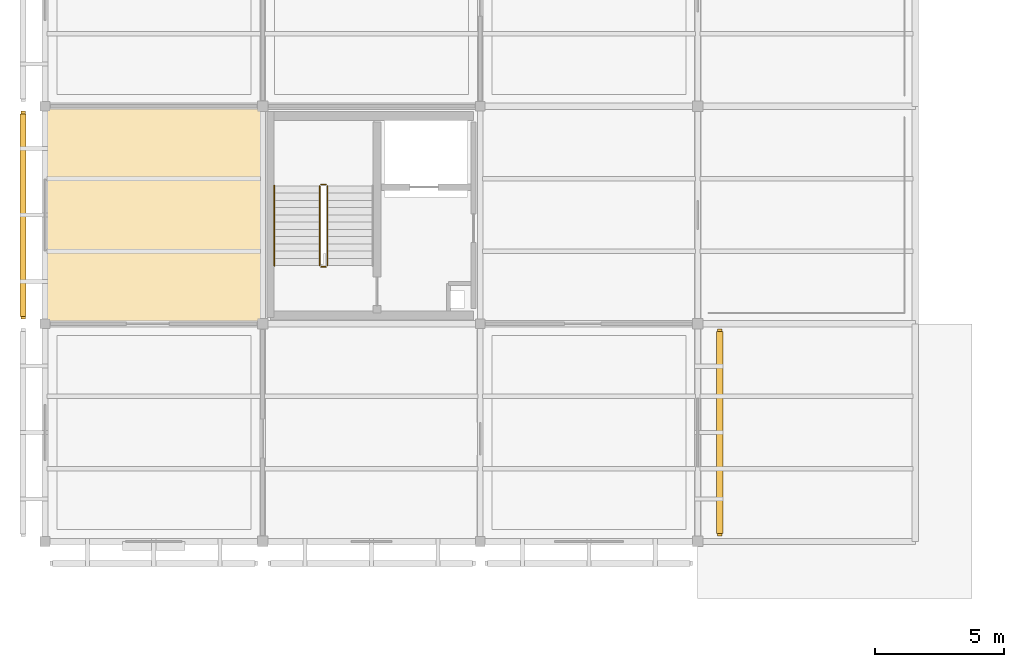
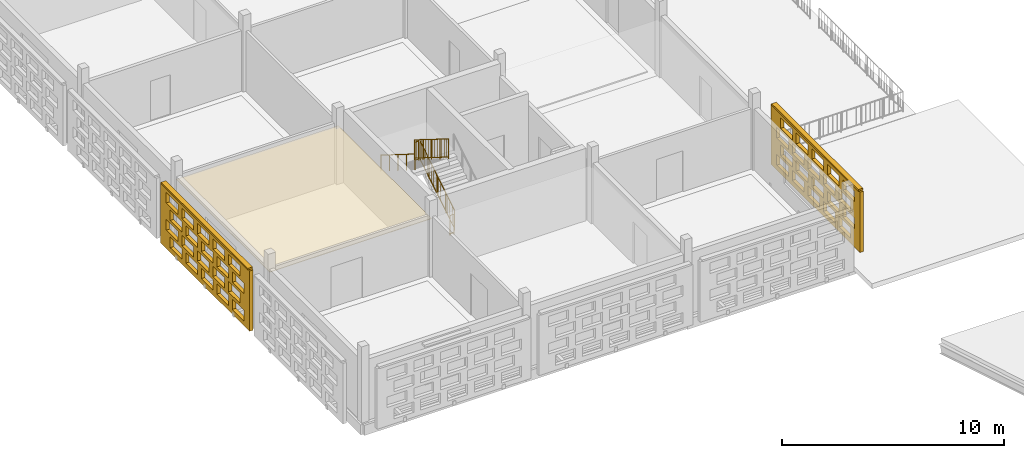
# One storey, part 24 of 31: 5 railings, 3 coverings, 2 shading devices, 40 openings.
"""IFC4 building model written with IfcOpenShell, lengths in metres."""

from ifc_helpers import new_model, si_unit, direction, frame, frame_2d, origin, origin_2d, place, context, subcontext, project, spatial, rectangle, circle, extrude, material, layer, layer_set, type_object, element, save


model = new_model("IFC4")

# Units and contexts
model_context = context("Model", 3, precision=1e-05, world=origin(), true_north=direction((0.0, 1.0)))
body_context = subcontext(model_context, "Body", "Model", "MODEL_VIEW")
ifc_project = project(units=[si_unit("LENGTHUNIT", "METRE"), si_unit("AREAUNIT", "SQUARE_METRE"), si_unit("VOLUMEUNIT", "CUBIC_METRE"), si_unit("PLANEANGLEUNIT", "RADIAN"), si_unit("MASSUNIT", "GRAM", prefix="KILO")], contexts=[model_context])

# Site, building, storey
site_placement = place(None, origin())
site = spatial("IfcSite", under=ifc_project, at=site_placement, CompositionType="ELEMENT")
building_placement = place(site_placement, origin())
building = spatial("IfcBuilding", under=site, at=building_placement, Name="Varnapada Polytechnic", CompositionType="ELEMENT")
storey_placement = place(building_placement, frame((0.0, 0.0, 22.199951171875)))
storey = spatial("IfcBuildingStorey", under=building, at=storey_placement, Name="L05", CompositionType="ELEMENT", Elevation=22.199951171875)

# Railings
ifc_material_1 = material(Name="Brushed Stainless Steel 316", Category="steel")
railing_type_1 = type_object("IfcRailingType", Name="Stair Wall Handrail SHR-01", PredefinedType="HANDRAIL", material=ifc_material_1)
railing_1_placement = place(storey_placement, frame((8.85009765625, 64.1298828125, 2.275146484375)))
element("IfcRailing", 1, at=railing_1_placement, inside=storey, type_object=railing_type_1, Name="L05 ST-2 stair handrail 2", PredefinedType="HANDRAIL", context=body_context, shape_type="SweptSolid", body=[
    extrude(circle(Radius=0.02392578125, at=origin_2d()), frame((0.0, 0.0, 0.8759765625), z_axis=(0.0, -0.848009633417, 0.529980812513), x_axis=(1.0, 0.0, 0.0)), (0.0, 0.0, 1.0), 3.6318359375),
    extrude(circle(Radius=0.02099609375, at=origin_2d()), origin(), (0.0, 0.0, 1.0), 0.851806640625),
    extrude(circle(Radius=0.02099609375, at=origin_2d()), frame((0.0, -0.77001953125, 0.481201171875)), (0.0, 0.0, 1.0), 0.851806640625),
    extrude(circle(Radius=0.02099609375, at=origin_2d()), frame((0.0, -1.5400390625, 0.96240234375)), (0.0, 0.0, 1.0), 0.851806640625),
    extrude(circle(Radius=0.02099609375, at=origin_2d()), frame((0.0, -2.309814453125, 1.443603515625)), (0.0, 0.0, 1.0), 0.851806640625),
    extrude(circle(Radius=0.02099609375, at=origin_2d()), frame((0.0, -3.079833984375, 1.9248046875)), (0.0, 0.0, 1.0), 0.851806640625),
])
railing_type_2 = type_object("IfcRailingType", Name="Stair Well Guard Rail SGR-01", PredefinedType="BALUSTRADE", material=ifc_material_1)
railing_2_placement = place(storey_placement, frame((10.89990234375, 61.050048828125, 0.175048828125)))
element("IfcRailing", 2, at=railing_2_placement, inside=storey, type_object=railing_type_2, Name="L05 ST-2 stair guard 1", PredefinedType="BALUSTRADE", context=body_context, shape_type="SweptSolid", body=[
    extrude(circle(Radius=0.02392578125, at=origin_2d()), frame((0.0, 0.0, 1.09619140625), z_axis=(0.0, 0.847979421464, 0.530029150871), x_axis=(-1.0, 0.0, 0.0)), (0.0, 0.0, 1.0), 3.632080078125),
    extrude(circle(Radius=0.02392578125, at=origin_2d()), frame((0.0, 0.0, 0.10009765625), z_axis=(0.0, 0.847979421464, 0.530029150871), x_axis=(-1.0, 0.0, 0.0)), (0.0, 0.0, 1.0), 3.632080078125),
    extrude(circle(Radius=0.02099609375, at=origin_2d()), origin(), (0.0, 0.0, 1.0), 1.072021484375),
    extrude(circle(Radius=0.02099609375, at=origin_2d()), frame((0.0, 0.77001953125, 0.481201171875)), (0.0, 0.0, 1.0), 1.072021484375),
    extrude(circle(Radius=0.02099609375, at=origin_2d()), frame((0.0, 1.5400390625, 0.96240234375)), (0.0, 0.0, 1.0), 1.072021484375),
    extrude(circle(Radius=0.02099609375, at=origin_2d()), frame((0.0, 2.309814453125, 1.44384765625)), (0.0, 0.0, 1.0), 1.072021484375),
    extrude(circle(Radius=0.02099609375, at=origin_2d()), frame((0.0, 3.079833984375, 1.925048828125)), (0.0, 0.0, 1.0), 1.072021484375),
    extrude(circle(Radius=0.010009765625, at=origin_2d()), frame((0.0, 0.205322265625, 0.228515625)), (0.0, 0.0, 1.0), 0.971923828125),
    extrude(circle(Radius=0.010009765625, at=origin_2d()), frame((0.0, 0.41064453125, 0.356689453125)), (0.0, 0.0, 1.0), 0.971923828125),
    extrude(circle(Radius=0.010009765625, at=origin_2d()), frame((0.0, 0.615966796875, 0.485107421875)), (0.0, 0.0, 1.0), 0.971923828125),
    extrude(circle(Radius=0.010009765625, at=origin_2d()), frame((0.0, 0.8212890625, 0.613525390625)), (0.0, 0.0, 1.0), 0.971923828125),
    extrude(circle(Radius=0.010009765625, at=origin_2d()), frame((0.0, 1.026611328125, 0.74169921875)), (0.0, 0.0, 1.0), 0.971923828125),
    extrude(circle(Radius=0.010009765625, at=origin_2d()), frame((0.0, 1.23193359375, 0.8701171875)), (0.0, 0.0, 1.0), 0.971923828125),
    extrude(circle(Radius=0.010009765625, at=origin_2d()), frame((0.0, 1.437255859375, 0.99853515625)), (0.0, 0.0, 1.0), 0.971923828125),
    extrude(circle(Radius=0.010009765625, at=origin_2d()), frame((0.0, 1.642578125, 1.126708984375)), (0.0, 0.0, 1.0), 0.971923828125),
    extrude(circle(Radius=0.010009765625, at=origin_2d()), frame((0.0, 1.847900390625, 1.255126953125)), (0.0, 0.0, 1.0), 0.971923828125),
    extrude(circle(Radius=0.010009765625, at=origin_2d()), frame((0.0, 2.05322265625, 1.383544921875)), (0.0, 0.0, 1.0), 0.971923828125),
    extrude(circle(Radius=0.010009765625, at=origin_2d()), frame((0.0, 2.258544921875, 1.51171875)), (0.0, 0.0, 1.0), 0.971923828125),
    extrude(circle(Radius=0.010009765625, at=origin_2d()), frame((0.0, 2.4638671875, 1.64013671875)), (0.0, 0.0, 1.0), 0.971923828125),
    extrude(circle(Radius=0.010009765625, at=origin_2d()), frame((0.0, 2.669189453125, 1.7685546875)), (0.0, 0.0, 1.0), 0.971923828125),
    extrude(circle(Radius=0.010009765625, at=origin_2d()), frame((0.0, 2.87451171875, 1.896728515625)), (0.0, 0.0, 1.0), 0.971923828125),
])
railing_3_placement = place(storey_placement, frame((10.85009765625, 64.179931640625, 2.10009765625)))
element("IfcRailing", 3, at=railing_3_placement, inside=storey, type_object=railing_type_2, Name="L05 ST-2 stair guard 2", PredefinedType="BALUSTRADE", context=body_context, shape_type="SweptSolid", body=[
    extrude(circle(Radius=0.02392578125, at=origin_2d()), frame((0.0, 0.0, 1.09619140625), z_axis=(-1.0, 0.0, 0.0), x_axis=(0.0, -1.0, 0.0)), (0.0, 0.0, 1.0), 0.2001953125),
    extrude(circle(Radius=0.02392578125, at=origin_2d()), frame((0.0, 0.0, 0.10009765625), z_axis=(-1.0, 0.0, 0.0), x_axis=(0.0, -1.0, 0.0)), (0.0, 0.0, 1.0), 0.2001953125),
    extrude(circle(Radius=0.02099609375, at=origin_2d()), origin(), (0.0, 0.0, 1.0), 1.072021484375),
    extrude(circle(Radius=0.02099609375, at=origin_2d()), frame((-0.2001953125, 0.0, 0.0)), (0.0, 0.0, 1.0), 1.072021484375),
])
railing_4_placement = place(storey_placement, frame((10.60009765625, 64.1298828125, 2.275146484375)))
element("IfcRailing", 4, at=railing_4_placement, inside=storey, type_object=railing_type_2, Name="L05 ST-2 stair guard 3", PredefinedType="BALUSTRADE", context=body_context, shape_type="SweptSolid", body=[
    extrude(circle(Radius=0.02392578125, at=origin_2d()), frame((0.0, 0.0, 1.09619140625), z_axis=(0.0, -0.848009633417, 0.529980812513), x_axis=(1.0, 0.0, 0.0)), (0.0, 0.0, 1.0), 3.6318359375),
    extrude(circle(Radius=0.02392578125, at=origin_2d()), frame((0.0, 0.0, 0.10009765625), z_axis=(0.0, -0.848009633417, 0.529980812513), x_axis=(1.0, 0.0, 0.0)), (0.0, 0.0, 1.0), 3.6318359375),
    extrude(circle(Radius=0.02099609375, at=origin_2d()), origin(), (0.0, 0.0, 1.0), 1.072021484375),
    extrude(circle(Radius=0.02099609375, at=origin_2d()), frame((0.0, -0.77001953125, 0.481201171875)), (0.0, 0.0, 1.0), 1.072021484375),
    extrude(circle(Radius=0.02099609375, at=origin_2d()), frame((0.0, -1.5400390625, 0.96240234375)), (0.0, 0.0, 1.0), 1.072021484375),
    extrude(circle(Radius=0.02099609375, at=origin_2d()), frame((0.0, -2.309814453125, 1.443603515625)), (0.0, 0.0, 1.0), 1.072021484375),
    extrude(circle(Radius=0.02099609375, at=origin_2d()), frame((0.0, -3.079833984375, 1.9248046875)), (0.0, 0.0, 1.0), 1.072021484375),
    extrude(circle(Radius=0.010009765625, at=origin_2d()), frame((0.0, -0.205322265625, 0.228515625)), (0.0, 0.0, 1.0), 0.971923828125),
    extrude(circle(Radius=0.010009765625, at=origin_2d()), frame((0.0, -0.41064453125, 0.356689453125)), (0.0, 0.0, 1.0), 0.971923828125),
    extrude(circle(Radius=0.010009765625, at=origin_2d()), frame((0.0, -0.615966796875, 0.485107421875)), (0.0, 0.0, 1.0), 0.971923828125),
    extrude(circle(Radius=0.010009765625, at=origin_2d()), frame((0.0, -0.8212890625, 0.61328125)), (0.0, 0.0, 1.0), 0.971923828125),
    extrude(circle(Radius=0.010009765625, at=origin_2d()), frame((0.0, -1.026611328125, 0.74169921875)), (0.0, 0.0, 1.0), 0.971923828125),
    extrude(circle(Radius=0.010009765625, at=origin_2d()), frame((0.0, -1.23193359375, 0.8701171875)), (0.0, 0.0, 1.0), 0.971923828125),
    extrude(circle(Radius=0.010009765625, at=origin_2d()), frame((0.0, -1.437255859375, 0.998291015625)), (0.0, 0.0, 1.0), 0.971923828125),
    extrude(circle(Radius=0.010009765625, at=origin_2d()), frame((0.0, -1.642578125, 1.126708984375)), (0.0, 0.0, 1.0), 0.971923828125),
    extrude(circle(Radius=0.010009765625, at=origin_2d()), frame((0.0, -1.847900390625, 1.2548828125)), (0.0, 0.0, 1.0), 0.971923828125),
    extrude(circle(Radius=0.010009765625, at=origin_2d()), frame((0.0, -2.05322265625, 1.38330078125)), (0.0, 0.0, 1.0), 0.971923828125),
    extrude(circle(Radius=0.010009765625, at=origin_2d()), frame((0.0, -2.258544921875, 1.51171875)), (0.0, 0.0, 1.0), 0.971923828125),
    extrude(circle(Radius=0.010009765625, at=origin_2d()), frame((0.0, -2.4638671875, 1.639892578125)), (0.0, 0.0, 1.0), 0.971923828125),
    extrude(circle(Radius=0.010009765625, at=origin_2d()), frame((0.0, -2.669189453125, 1.768310546875)), (0.0, 0.0, 1.0), 0.971923828125),
    extrude(circle(Radius=0.010009765625, at=origin_2d()), frame((0.0, -2.87451171875, 1.896484375)), (0.0, 0.0, 1.0), 0.971923828125),
])
railing_5_placement = place(storey_placement, frame((10.85009765625, 61.0, 0.0)))
element("IfcRailing", 5, at=railing_5_placement, inside=storey, type_object=railing_type_2, Name="L05 ST-2 stair guard 4", PredefinedType="BALUSTRADE", context=body_context, shape_type="SweptSolid", body=[
    extrude(circle(Radius=0.02392578125, at=origin_2d()), frame((0.0, 0.0, 1.09619140625), z_axis=(-1.0, 0.0, 0.0), x_axis=(0.0, -1.0, 0.0)), (0.0, 0.0, 1.0), 0.2001953125),
    extrude(circle(Radius=0.02392578125, at=origin_2d()), frame((0.0, 0.0, 0.10009765625), z_axis=(-1.0, 0.0, 0.0), x_axis=(0.0, -1.0, 0.0)), (0.0, 0.0, 1.0), 0.2001953125),
    extrude(circle(Radius=0.02099609375, at=origin_2d()), origin(), (0.0, 0.0, 1.0), 1.072021484375),
    extrude(circle(Radius=0.02099609375, at=origin_2d()), frame((-0.2001953125, 0.0, 0.0)), (0.0, 0.0, 1.0), 1.072021484375),
])

# Covering
ifc_material_2 = material(Name="Moisture-Resistant Aluminum Baffle Ceiling", Category="aluminium")
ifc_layer_1 = layer(ifc_material_2, 0.030029296875)
ifc_layer_set_1 = layer_set([ifc_layer_1], Name="Moisture-Resistant Aluminum Baffle Ceiling")
covering_type_1 = type_object("IfcCoveringType", Name="Suspended Ceiling CLG-03", PredefinedType="CEILING", material=ifc_layer_set_1)
covering_1_placement = place(storey_placement, frame((4.199951171875, 63.0, 3.03515625), z_axis=(0.0, 0.0, 1.0), x_axis=(1.0, 0.0, 0.0)))
element("IfcCovering", 6, at=covering_1_placement, inside=storey, type_object=covering_type_1, Name="L05 suspended acoustic ceiling (1,8)", PredefinedType="CEILING", context=body_context, shape_type="SweptSolid", body=[
    extrude(rectangle(XDim=8.419921875, YDim=8.419921875, at=origin_2d()), origin(), (0.0, 0.0, 1.0), 0.030029296875),
])

# Covering, openings
ifc_material_3 = material(Name="Earth-toned architectural terracotta screen block", Category="masonry")
ifc_layer_2 = layer(ifc_material_3, 0.1201171875)
ifc_layer_set_2 = layer_set([ifc_layer_2], Name="Earth-toned architectural terracotta screen block")
covering_type_2 = type_object("IfcCoveringType", Name="Terracotta Screen Cladding CLD-01", PredefinedType="CLADDING", material=ifc_layer_set_2)
covering_2_placement = place(storey_placement, frame((-0.85009765625, 58.989990234375, 0.0), z_axis=(0.0, 0.0, 1.0), x_axis=(0.0, 1.0, 0.0)))
covering_2 = element("IfcCovering", 7, at=covering_2_placement, inside=storey, type_object=covering_type_2, Name="L05 perforated terracotta block screen (3)", PredefinedType="CLADDING", context=body_context, shape_type="SweptSolid", body=[
    extrude(rectangle(XDim=8.02001953125, YDim=0.179931640625, at=frame_2d((4.010009765625, 0.0))), origin(), (0.0, 0.0, 1.0), 3.320068359375),
])
opening_1_placement = place(covering_2_placement, frame((0.510009765625, 0.0, 0.265625)))
element("IfcOpeningElement", 8, at=opening_1_placement, cuts=covering_2, Name="Screen perforation TBS-L05-002.1", PredefinedType="OPENING", context=body_context, shape_type="SweptSolid", body=[
    extrude(rectangle(XDim=1.0400390625, YDim=0.5810546875, at=frame_2d((0.52001953125, 0.29052734375))), frame((0.0, 0.099853515625, 0.0), z_axis=(0.0, -1.0, 0.0), x_axis=(1.0, 0.0, 0.0)), (0.0, 0.0, 1.0), 0.199951171875),
])
opening_2_placement = place(covering_2_placement, frame((1.909912109375, 0.0, 0.265625)))
element("IfcOpeningElement", 9, at=opening_2_placement, cuts=covering_2, Name="Screen perforation TBS-L05-002.2", PredefinedType="OPENING", context=body_context, shape_type="SweptSolid", body=[
    extrude(rectangle(XDim=1.0400390625, YDim=0.5810546875, at=frame_2d((0.52001953125, 0.29052734375))), frame((0.0, 0.099853515625, 0.0), z_axis=(0.0, -1.0, 0.0), x_axis=(1.0, 0.0, 0.0)), (0.0, 0.0, 1.0), 0.199951171875),
])
opening_3_placement = place(covering_2_placement, frame((3.31005859375, 0.0, 0.265625)))
element("IfcOpeningElement", 10, at=opening_3_placement, cuts=covering_2, Name="Screen perforation TBS-L05-002.3", PredefinedType="OPENING", context=body_context, shape_type="SweptSolid", body=[
    extrude(rectangle(XDim=1.0400390625, YDim=0.5810546875, at=frame_2d((0.52001953125, 0.29052734375))), frame((0.0, 0.099853515625, 0.0), z_axis=(0.0, -1.0, 0.0), x_axis=(1.0, 0.0, 0.0)), (0.0, 0.0, 1.0), 0.199951171875),
])
opening_4_placement = place(covering_2_placement, frame((4.7099609375, 0.0, 0.265625)))
element("IfcOpeningElement", 11, at=opening_4_placement, cuts=covering_2, Name="Screen perforation TBS-L05-002.4", PredefinedType="OPENING", context=body_context, shape_type="SweptSolid", body=[
    extrude(rectangle(XDim=1.0400390625, YDim=0.5810546875, at=frame_2d((0.52001953125, 0.29052734375))), frame((0.0, 0.099853515625, 0.0), z_axis=(0.0, -1.0, 0.0), x_axis=(1.0, 0.0, 0.0)), (0.0, 0.0, 1.0), 0.199951171875),
])
opening_5_placement = place(covering_2_placement, frame((6.110107421875, 0.0, 0.265625)))
element("IfcOpeningElement", 12, at=opening_5_placement, cuts=covering_2, Name="Screen perforation TBS-L05-002.5", PredefinedType="OPENING", context=body_context, shape_type="SweptSolid", body=[
    extrude(rectangle(XDim=1.0400390625, YDim=0.5810546875, at=frame_2d((0.52001953125, 0.29052734375))), frame((0.0, 0.099853515625, 0.0), z_axis=(0.0, -1.0, 0.0), x_axis=(1.0, 0.0, 0.0)), (0.0, 0.0, 1.0), 0.199951171875),
])
opening_6_placement = place(covering_2_placement, frame((0.8701171875, 0.0, 1.0126953125)))
element("IfcOpeningElement", 13, at=opening_6_placement, cuts=covering_2, Name="Screen perforation TBS-L05-002.6", PredefinedType="OPENING", context=body_context, shape_type="SweptSolid", body=[
    extrude(rectangle(XDim=1.0400390625, YDim=0.5810546875, at=frame_2d((0.52001953125, 0.29052734375))), frame((0.0, 0.099853515625, 0.0), z_axis=(0.0, -1.0, 0.0), x_axis=(1.0, 0.0, 0.0)), (0.0, 0.0, 1.0), 0.199951171875),
])
opening_7_placement = place(covering_2_placement, frame((2.27001953125, 0.0, 1.0126953125)))
element("IfcOpeningElement", 14, at=opening_7_placement, cuts=covering_2, Name="Screen perforation TBS-L05-002.7", PredefinedType="OPENING", context=body_context, shape_type="SweptSolid", body=[
    extrude(rectangle(XDim=1.0400390625, YDim=0.5810546875, at=frame_2d((0.52001953125, 0.29052734375))), frame((0.0, 0.099853515625, 0.0), z_axis=(0.0, -1.0, 0.0), x_axis=(1.0, 0.0, 0.0)), (0.0, 0.0, 1.0), 0.199951171875),
])
opening_8_placement = place(covering_2_placement, frame((3.669921875, 0.0, 1.0126953125)))
element("IfcOpeningElement", 15, at=opening_8_placement, cuts=covering_2, Name="Screen perforation TBS-L05-002.8", PredefinedType="OPENING", context=body_context, shape_type="SweptSolid", body=[
    extrude(rectangle(XDim=1.0400390625, YDim=0.5810546875, at=frame_2d((0.52001953125, 0.29052734375))), frame((0.0, 0.099853515625, 0.0), z_axis=(0.0, -1.0, 0.0), x_axis=(1.0, 0.0, 0.0)), (0.0, 0.0, 1.0), 0.199951171875),
])
opening_9_placement = place(covering_2_placement, frame((5.070068359375, 0.0, 1.0126953125)))
element("IfcOpeningElement", 16, at=opening_9_placement, cuts=covering_2, Name="Screen perforation TBS-L05-002.9", PredefinedType="OPENING", context=body_context, shape_type="SweptSolid", body=[
    extrude(rectangle(XDim=1.0400390625, YDim=0.5810546875, at=frame_2d((0.52001953125, 0.29052734375))), frame((0.0, 0.099853515625, 0.0), z_axis=(0.0, -1.0, 0.0), x_axis=(1.0, 0.0, 0.0)), (0.0, 0.0, 1.0), 0.199951171875),
])
opening_10_placement = place(covering_2_placement, frame((6.469970703125, 0.0, 1.0126953125)))
element("IfcOpeningElement", 17, at=opening_10_placement, cuts=covering_2, Name="Screen perforation TBS-L05-002.10", PredefinedType="OPENING", context=body_context, shape_type="SweptSolid", body=[
    extrude(rectangle(XDim=1.0400390625, YDim=0.5810546875, at=frame_2d((0.52001953125, 0.29052734375))), frame((0.0, 0.099853515625, 0.0), z_axis=(0.0, -1.0, 0.0), x_axis=(1.0, 0.0, 0.0)), (0.0, 0.0, 1.0), 0.199951171875),
])
opening_11_placement = place(covering_2_placement, frame((0.510009765625, 0.0, 1.759521484375)))
element("IfcOpeningElement", 18, at=opening_11_placement, cuts=covering_2, Name="Screen perforation TBS-L05-002.11", PredefinedType="OPENING", context=body_context, shape_type="SweptSolid", body=[
    extrude(rectangle(XDim=1.0400390625, YDim=0.5810546875, at=frame_2d((0.52001953125, 0.29052734375))), frame((0.0, 0.099853515625, 0.0), z_axis=(0.0, -1.0, 0.0), x_axis=(1.0, 0.0, 0.0)), (0.0, 0.0, 1.0), 0.199951171875),
])
opening_12_placement = place(covering_2_placement, frame((1.909912109375, 0.0, 1.759521484375)))
element("IfcOpeningElement", 19, at=opening_12_placement, cuts=covering_2, Name="Screen perforation TBS-L05-002.12", PredefinedType="OPENING", context=body_context, shape_type="SweptSolid", body=[
    extrude(rectangle(XDim=1.0400390625, YDim=0.5810546875, at=frame_2d((0.52001953125, 0.29052734375))), frame((0.0, 0.099853515625, 0.0), z_axis=(0.0, -1.0, 0.0), x_axis=(1.0, 0.0, 0.0)), (0.0, 0.0, 1.0), 0.199951171875),
])
opening_13_placement = place(covering_2_placement, frame((3.31005859375, 0.0, 1.759521484375)))
element("IfcOpeningElement", 20, at=opening_13_placement, cuts=covering_2, Name="Screen perforation TBS-L05-002.13", PredefinedType="OPENING", context=body_context, shape_type="SweptSolid", body=[
    extrude(rectangle(XDim=1.0400390625, YDim=0.5810546875, at=frame_2d((0.52001953125, 0.29052734375))), frame((0.0, 0.099853515625, 0.0), z_axis=(0.0, -1.0, 0.0), x_axis=(1.0, 0.0, 0.0)), (0.0, 0.0, 1.0), 0.199951171875),
])
opening_14_placement = place(covering_2_placement, frame((4.7099609375, 0.0, 1.759521484375)))
element("IfcOpeningElement", 21, at=opening_14_placement, cuts=covering_2, Name="Screen perforation TBS-L05-002.14", PredefinedType="OPENING", context=body_context, shape_type="SweptSolid", body=[
    extrude(rectangle(XDim=1.0400390625, YDim=0.5810546875, at=frame_2d((0.52001953125, 0.29052734375))), frame((0.0, 0.099853515625, 0.0), z_axis=(0.0, -1.0, 0.0), x_axis=(1.0, 0.0, 0.0)), (0.0, 0.0, 1.0), 0.199951171875),
])
opening_15_placement = place(covering_2_placement, frame((6.110107421875, 0.0, 1.759521484375)))
element("IfcOpeningElement", 22, at=opening_15_placement, cuts=covering_2, Name="Screen perforation TBS-L05-002.15", PredefinedType="OPENING", context=body_context, shape_type="SweptSolid", body=[
    extrude(rectangle(XDim=1.0400390625, YDim=0.5810546875, at=frame_2d((0.52001953125, 0.29052734375))), frame((0.0, 0.099853515625, 0.0), z_axis=(0.0, -1.0, 0.0), x_axis=(1.0, 0.0, 0.0)), (0.0, 0.0, 1.0), 0.199951171875),
])
opening_16_placement = place(covering_2_placement, frame((0.8701171875, 0.0, 2.506591796875)))
element("IfcOpeningElement", 23, at=opening_16_placement, cuts=covering_2, Name="Screen perforation TBS-L05-002.16", PredefinedType="OPENING", context=body_context, shape_type="SweptSolid", body=[
    extrude(rectangle(XDim=1.0400390625, YDim=0.5810546875, at=frame_2d((0.52001953125, 0.29052734375))), frame((0.0, 0.099853515625, 0.0), z_axis=(0.0, -1.0, 0.0), x_axis=(1.0, 0.0, 0.0)), (0.0, 0.0, 1.0), 0.199951171875),
])
opening_17_placement = place(covering_2_placement, frame((2.27001953125, 0.0, 2.506591796875)))
element("IfcOpeningElement", 24, at=opening_17_placement, cuts=covering_2, Name="Screen perforation TBS-L05-002.17", PredefinedType="OPENING", context=body_context, shape_type="SweptSolid", body=[
    extrude(rectangle(XDim=1.0400390625, YDim=0.5810546875, at=frame_2d((0.52001953125, 0.29052734375))), frame((0.0, 0.099853515625, 0.0), z_axis=(0.0, -1.0, 0.0), x_axis=(1.0, 0.0, 0.0)), (0.0, 0.0, 1.0), 0.199951171875),
])
opening_18_placement = place(covering_2_placement, frame((3.669921875, 0.0, 2.506591796875)))
element("IfcOpeningElement", 25, at=opening_18_placement, cuts=covering_2, Name="Screen perforation TBS-L05-002.18", PredefinedType="OPENING", context=body_context, shape_type="SweptSolid", body=[
    extrude(rectangle(XDim=1.0400390625, YDim=0.5810546875, at=frame_2d((0.52001953125, 0.29052734375))), frame((0.0, 0.099853515625, 0.0), z_axis=(0.0, -1.0, 0.0), x_axis=(1.0, 0.0, 0.0)), (0.0, 0.0, 1.0), 0.199951171875),
])
opening_19_placement = place(covering_2_placement, frame((5.070068359375, 0.0, 2.506591796875)))
element("IfcOpeningElement", 26, at=opening_19_placement, cuts=covering_2, Name="Screen perforation TBS-L05-002.19", PredefinedType="OPENING", context=body_context, shape_type="SweptSolid", body=[
    extrude(rectangle(XDim=1.0400390625, YDim=0.5810546875, at=frame_2d((0.52001953125, 0.29052734375))), frame((0.0, 0.099853515625, 0.0), z_axis=(0.0, -1.0, 0.0), x_axis=(1.0, 0.0, 0.0)), (0.0, 0.0, 1.0), 0.199951171875),
])
opening_20_placement = place(covering_2_placement, frame((6.469970703125, 0.0, 2.506591796875)))
element("IfcOpeningElement", 27, at=opening_20_placement, cuts=covering_2, Name="Screen perforation TBS-L05-002.20", PredefinedType="OPENING", context=body_context, shape_type="SweptSolid", body=[
    extrude(rectangle(XDim=1.0400390625, YDim=0.5810546875, at=frame_2d((0.52001953125, 0.29052734375))), frame((0.0, 0.099853515625, 0.0), z_axis=(0.0, -1.0, 0.0), x_axis=(1.0, 0.0, 0.0)), (0.0, 0.0, 1.0), 0.199951171875),
])

covering_3_placement = place(storey_placement, frame((26.050048828125, 58.60009765625, 0.0), z_axis=(0.0, 0.0, 1.0), x_axis=(0.0, -1.0, 0.0)))
covering_3 = element("IfcCovering", 28, at=covering_3_placement, inside=storey, type_object=covering_type_2, Name="L05 perforated terracotta block screen (15)", PredefinedType="CLADDING", context=body_context, shape_type="SweptSolid", body=[
    extrude(rectangle(XDim=8.0, YDim=0.179931640625, at=frame_2d((4.0, 0.0))), origin(), (0.0, 0.0, 1.0), 3.320068359375),
])
opening_21_placement = place(covering_3_placement, frame((0.5, 0.0, 0.265625)))
element("IfcOpeningElement", 29, at=opening_21_placement, cuts=covering_3, Name="Screen perforation TBS-L05-014.1", PredefinedType="OPENING", context=body_context, shape_type="SweptSolid", body=[
    extrude(rectangle(XDim=1.0400390625, YDim=0.5810546875, at=frame_2d((0.52001953125, 0.29052734375))), frame((0.0, 0.099853515625, 0.0), z_axis=(0.0, -1.0, 0.0), x_axis=(1.0, 0.0, 0.0)), (0.0, 0.0, 1.0), 0.199951171875),
])
opening_22_placement = place(covering_3_placement, frame((1.89990234375, 0.0, 0.265625)))
element("IfcOpeningElement", 30, at=opening_22_placement, cuts=covering_3, Name="Screen perforation TBS-L05-014.2", PredefinedType="OPENING", context=body_context, shape_type="SweptSolid", body=[
    extrude(rectangle(XDim=1.0400390625, YDim=0.5810546875, at=frame_2d((0.52001953125, 0.29052734375))), frame((0.0, 0.099853515625, 0.0), z_axis=(0.0, -1.0, 0.0), x_axis=(1.0, 0.0, 0.0)), (0.0, 0.0, 1.0), 0.199951171875),
])
opening_23_placement = place(covering_3_placement, frame((3.300048828125, 0.0, 0.265625)))
element("IfcOpeningElement", 31, at=opening_23_placement, cuts=covering_3, Name="Screen perforation TBS-L05-014.3", PredefinedType="OPENING", context=body_context, shape_type="SweptSolid", body=[
    extrude(rectangle(XDim=1.0400390625, YDim=0.5810546875, at=frame_2d((0.52001953125, 0.29052734375))), frame((0.0, 0.099853515625, 0.0), z_axis=(0.0, -1.0, 0.0), x_axis=(1.0, 0.0, 0.0)), (0.0, 0.0, 1.0), 0.199951171875),
])
opening_24_placement = place(covering_3_placement, frame((4.699951171875, 0.0, 0.265625)))
element("IfcOpeningElement", 32, at=opening_24_placement, cuts=covering_3, Name="Screen perforation TBS-L05-014.4", PredefinedType="OPENING", context=body_context, shape_type="SweptSolid", body=[
    extrude(rectangle(XDim=1.0400390625, YDim=0.5810546875, at=frame_2d((0.52001953125, 0.29052734375))), frame((0.0, 0.099853515625, 0.0), z_axis=(0.0, -1.0, 0.0), x_axis=(1.0, 0.0, 0.0)), (0.0, 0.0, 1.0), 0.199951171875),
])
opening_25_placement = place(covering_3_placement, frame((6.10009765625, 0.0, 0.265625)))
element("IfcOpeningElement", 33, at=opening_25_placement, cuts=covering_3, Name="Screen perforation TBS-L05-014.5", PredefinedType="OPENING", context=body_context, shape_type="SweptSolid", body=[
    extrude(rectangle(XDim=1.0400390625, YDim=0.5810546875, at=frame_2d((0.52001953125, 0.29052734375))), frame((0.0, 0.099853515625, 0.0), z_axis=(0.0, -1.0, 0.0), x_axis=(1.0, 0.0, 0.0)), (0.0, 0.0, 1.0), 0.199951171875),
])
opening_26_placement = place(covering_3_placement, frame((0.860107421875, 0.0, 1.0126953125)))
element("IfcOpeningElement", 34, at=opening_26_placement, cuts=covering_3, Name="Screen perforation TBS-L05-014.6", PredefinedType="OPENING", context=body_context, shape_type="SweptSolid", body=[
    extrude(rectangle(XDim=1.0400390625, YDim=0.5810546875, at=frame_2d((0.52001953125, 0.29052734375))), frame((0.0, 0.099853515625, 0.0), z_axis=(0.0, -1.0, 0.0), x_axis=(1.0, 0.0, 0.0)), (0.0, 0.0, 1.0), 0.199951171875),
])
opening_27_placement = place(covering_3_placement, frame((2.260009765625, 0.0, 1.0126953125)))
element("IfcOpeningElement", 35, at=opening_27_placement, cuts=covering_3, Name="Screen perforation TBS-L05-014.7", PredefinedType="OPENING", context=body_context, shape_type="SweptSolid", body=[
    extrude(rectangle(XDim=1.0400390625, YDim=0.5810546875, at=frame_2d((0.52001953125, 0.29052734375))), frame((0.0, 0.099853515625, 0.0), z_axis=(0.0, -1.0, 0.0), x_axis=(1.0, 0.0, 0.0)), (0.0, 0.0, 1.0), 0.199951171875),
])
opening_28_placement = place(covering_3_placement, frame((3.659912109375, 0.0, 1.0126953125)))
element("IfcOpeningElement", 36, at=opening_28_placement, cuts=covering_3, Name="Screen perforation TBS-L05-014.8", PredefinedType="OPENING", context=body_context, shape_type="SweptSolid", body=[
    extrude(rectangle(XDim=1.0400390625, YDim=0.5810546875, at=frame_2d((0.52001953125, 0.29052734375))), frame((0.0, 0.099853515625, 0.0), z_axis=(0.0, -1.0, 0.0), x_axis=(1.0, 0.0, 0.0)), (0.0, 0.0, 1.0), 0.199951171875),
])
opening_29_placement = place(covering_3_placement, frame((5.06005859375, 0.0, 1.0126953125)))
element("IfcOpeningElement", 37, at=opening_29_placement, cuts=covering_3, Name="Screen perforation TBS-L05-014.9", PredefinedType="OPENING", context=body_context, shape_type="SweptSolid", body=[
    extrude(rectangle(XDim=1.0400390625, YDim=0.5810546875, at=frame_2d((0.52001953125, 0.29052734375))), frame((0.0, 0.099853515625, 0.0), z_axis=(0.0, -1.0, 0.0), x_axis=(1.0, 0.0, 0.0)), (0.0, 0.0, 1.0), 0.199951171875),
])
opening_30_placement = place(covering_3_placement, frame((6.4599609375, 0.0, 1.0126953125)))
element("IfcOpeningElement", 38, at=opening_30_placement, cuts=covering_3, Name="Screen perforation TBS-L05-014.10", PredefinedType="OPENING", context=body_context, shape_type="SweptSolid", body=[
    extrude(rectangle(XDim=1.0400390625, YDim=0.5810546875, at=frame_2d((0.52001953125, 0.29052734375))), frame((0.0, 0.099853515625, 0.0), z_axis=(0.0, -1.0, 0.0), x_axis=(1.0, 0.0, 0.0)), (0.0, 0.0, 1.0), 0.199951171875),
])
opening_31_placement = place(covering_3_placement, frame((0.5, 0.0, 1.759521484375)))
element("IfcOpeningElement", 39, at=opening_31_placement, cuts=covering_3, Name="Screen perforation TBS-L05-014.11", PredefinedType="OPENING", context=body_context, shape_type="SweptSolid", body=[
    extrude(rectangle(XDim=1.0400390625, YDim=0.5810546875, at=frame_2d((0.52001953125, 0.29052734375))), frame((0.0, 0.099853515625, 0.0), z_axis=(0.0, -1.0, 0.0), x_axis=(1.0, 0.0, 0.0)), (0.0, 0.0, 1.0), 0.199951171875),
])
opening_32_placement = place(covering_3_placement, frame((1.89990234375, 0.0, 1.759521484375)))
element("IfcOpeningElement", 40, at=opening_32_placement, cuts=covering_3, Name="Screen perforation TBS-L05-014.12", PredefinedType="OPENING", context=body_context, shape_type="SweptSolid", body=[
    extrude(rectangle(XDim=1.0400390625, YDim=0.5810546875, at=frame_2d((0.52001953125, 0.29052734375))), frame((0.0, 0.099853515625, 0.0), z_axis=(0.0, -1.0, 0.0), x_axis=(1.0, 0.0, 0.0)), (0.0, 0.0, 1.0), 0.199951171875),
])
opening_33_placement = place(covering_3_placement, frame((3.300048828125, 0.0, 1.759521484375)))
element("IfcOpeningElement", 41, at=opening_33_placement, cuts=covering_3, Name="Screen perforation TBS-L05-014.13", PredefinedType="OPENING", context=body_context, shape_type="SweptSolid", body=[
    extrude(rectangle(XDim=1.0400390625, YDim=0.5810546875, at=frame_2d((0.52001953125, 0.29052734375))), frame((0.0, 0.099853515625, 0.0), z_axis=(0.0, -1.0, 0.0), x_axis=(1.0, 0.0, 0.0)), (0.0, 0.0, 1.0), 0.199951171875),
])
opening_34_placement = place(covering_3_placement, frame((4.699951171875, 0.0, 1.759521484375)))
element("IfcOpeningElement", 42, at=opening_34_placement, cuts=covering_3, Name="Screen perforation TBS-L05-014.14", PredefinedType="OPENING", context=body_context, shape_type="SweptSolid", body=[
    extrude(rectangle(XDim=1.0400390625, YDim=0.5810546875, at=frame_2d((0.52001953125, 0.29052734375))), frame((0.0, 0.099853515625, 0.0), z_axis=(0.0, -1.0, 0.0), x_axis=(1.0, 0.0, 0.0)), (0.0, 0.0, 1.0), 0.199951171875),
])
opening_35_placement = place(covering_3_placement, frame((6.10009765625, 0.0, 1.759521484375)))
element("IfcOpeningElement", 43, at=opening_35_placement, cuts=covering_3, Name="Screen perforation TBS-L05-014.15", PredefinedType="OPENING", context=body_context, shape_type="SweptSolid", body=[
    extrude(rectangle(XDim=1.0400390625, YDim=0.5810546875, at=frame_2d((0.52001953125, 0.29052734375))), frame((0.0, 0.099853515625, 0.0), z_axis=(0.0, -1.0, 0.0), x_axis=(1.0, 0.0, 0.0)), (0.0, 0.0, 1.0), 0.199951171875),
])
opening_36_placement = place(covering_3_placement, frame((0.860107421875, 0.0, 2.506591796875)))
element("IfcOpeningElement", 44, at=opening_36_placement, cuts=covering_3, Name="Screen perforation TBS-L05-014.16", PredefinedType="OPENING", context=body_context, shape_type="SweptSolid", body=[
    extrude(rectangle(XDim=1.0400390625, YDim=0.5810546875, at=frame_2d((0.52001953125, 0.29052734375))), frame((0.0, 0.099853515625, 0.0), z_axis=(0.0, -1.0, 0.0), x_axis=(1.0, 0.0, 0.0)), (0.0, 0.0, 1.0), 0.199951171875),
])
opening_37_placement = place(covering_3_placement, frame((2.260009765625, 0.0, 2.506591796875)))
element("IfcOpeningElement", 45, at=opening_37_placement, cuts=covering_3, Name="Screen perforation TBS-L05-014.17", PredefinedType="OPENING", context=body_context, shape_type="SweptSolid", body=[
    extrude(rectangle(XDim=1.0400390625, YDim=0.5810546875, at=frame_2d((0.52001953125, 0.29052734375))), frame((0.0, 0.099853515625, 0.0), z_axis=(0.0, -1.0, 0.0), x_axis=(1.0, 0.0, 0.0)), (0.0, 0.0, 1.0), 0.199951171875),
])
opening_38_placement = place(covering_3_placement, frame((3.659912109375, 0.0, 2.506591796875)))
element("IfcOpeningElement", 46, at=opening_38_placement, cuts=covering_3, Name="Screen perforation TBS-L05-014.18", PredefinedType="OPENING", context=body_context, shape_type="SweptSolid", body=[
    extrude(rectangle(XDim=1.0400390625, YDim=0.5810546875, at=frame_2d((0.52001953125, 0.29052734375))), frame((0.0, 0.099853515625, 0.0), z_axis=(0.0, -1.0, 0.0), x_axis=(1.0, 0.0, 0.0)), (0.0, 0.0, 1.0), 0.199951171875),
])
opening_39_placement = place(covering_3_placement, frame((5.06005859375, 0.0, 2.506591796875)))
element("IfcOpeningElement", 47, at=opening_39_placement, cuts=covering_3, Name="Screen perforation TBS-L05-014.19", PredefinedType="OPENING", context=body_context, shape_type="SweptSolid", body=[
    extrude(rectangle(XDim=1.0400390625, YDim=0.5810546875, at=frame_2d((0.52001953125, 0.29052734375))), frame((0.0, 0.099853515625, 0.0), z_axis=(0.0, -1.0, 0.0), x_axis=(1.0, 0.0, 0.0)), (0.0, 0.0, 1.0), 0.199951171875),
])
opening_40_placement = place(covering_3_placement, frame((6.4599609375, 0.0, 2.506591796875)))
element("IfcOpeningElement", 48, at=opening_40_placement, cuts=covering_3, Name="Screen perforation TBS-L05-014.20", PredefinedType="OPENING", context=body_context, shape_type="SweptSolid", body=[
    extrude(rectangle(XDim=1.0400390625, YDim=0.5810546875, at=frame_2d((0.52001953125, 0.29052734375))), frame((0.0, 0.099853515625, 0.0), z_axis=(0.0, -1.0, 0.0), x_axis=(1.0, 0.0, 0.0)), (0.0, 0.0, 1.0), 0.199951171875),
])

# Shading devices
ifc_layer_3 = layer(ifc_material_3, 0.179931640625)
ifc_layer_set_3 = layer_set([ifc_layer_3], Name="Earth-toned architectural terracotta screen block")
shading_device_type = type_object("IfcShadingDeviceType", Name="Terracotta Screen SCR-01", PredefinedType="USERDEFINED", material=ifc_layer_set_3)
shading_device_1_placement = place(storey_placement, frame((-0.85009765625, 63.0, 3.31005859375), z_axis=(0.0, 0.0, 1.0), x_axis=(0.0, 1.0, 0.0)))
element("IfcShadingDevice", 49, at=shading_device_1_placement, inside=storey, type_object=shading_device_type, Name="L05 perforated terracotta screen hood 478", ObjectType="SCREEN", PredefinedType="USERDEFINED", context=body_context, shape_type="SweptSolid", body=[
    extrude(rectangle(XDim=7.820068359375, YDim=0.239990234375, at=origin_2d()), origin(), (0.0, 0.0, 1.0), 0.10009765625),
])
shading_device_2_placement = place(storey_placement, frame((26.050048828125, 54.60009765625, 3.31005859375), z_axis=(0.0, 0.0, 1.0), x_axis=(0.0, -1.0, 0.0)))
element("IfcShadingDevice", 50, at=shading_device_2_placement, inside=storey, type_object=shading_device_type, Name="L05 perforated terracotta screen hood 490", ObjectType="SCREEN", PredefinedType="USERDEFINED", context=body_context, shape_type="SweptSolid", body=[
    extrude(rectangle(XDim=7.800048828125, YDim=0.239990234375, at=origin_2d()), origin(), (0.0, 0.0, 1.0), 0.10009765625),
])

save(model, "model.ifc")
